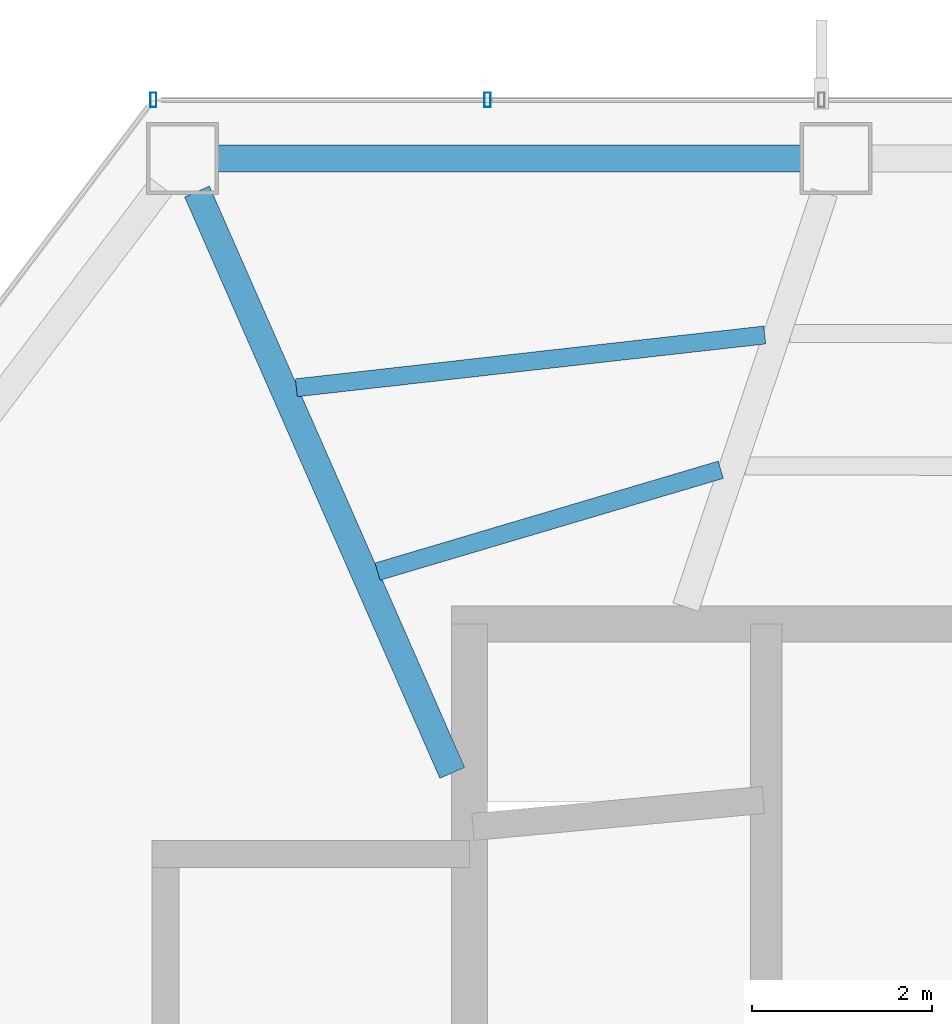
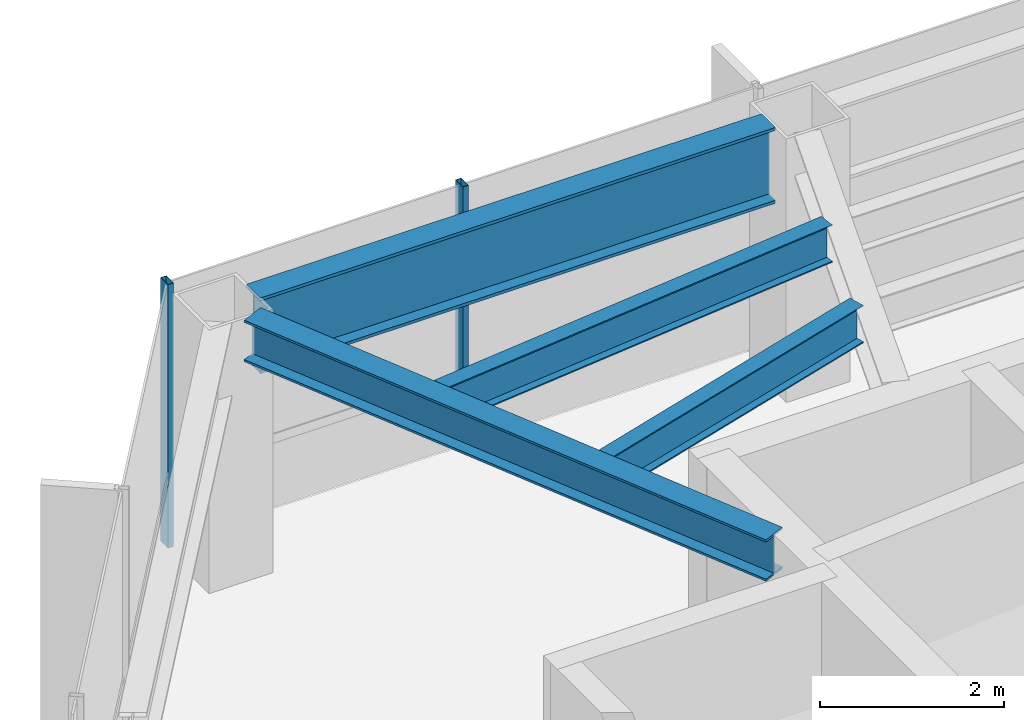
# One storey, part 11 of 28: 4 beams, 2 members, 1 element without a shape of its own.
"""IFC4 building model written with IfcOpenShell, lengths in metres."""

from ifc_helpers import new_model, si_unit, direction, frame, origin, origin_2d, place, context, subcontext, project, spatial, hollow_rectangle, i_section, extrude, material, layer, layer_set, material_profile, profile_set, type_object, element, aggregate, save


model = new_model("IFC4")

# Units and contexts
model_context = context("Model", 3, precision=1e-05, world=origin(), true_north=direction((0.0, 1.0)))
body_context = subcontext(model_context, "Body", "Model", "MODEL_VIEW")
ifc_project = project(units=[si_unit("LENGTHUNIT", "METRE"), si_unit("AREAUNIT", "SQUARE_METRE"), si_unit("VOLUMEUNIT", "CUBIC_METRE"), si_unit("PLANEANGLEUNIT", "RADIAN"), si_unit("MASSUNIT", "GRAM", prefix="KILO")], contexts=[model_context])

# Site, building, storey
site_placement = place(None, origin())
site = spatial("IfcSite", under=ifc_project, at=site_placement, CompositionType="ELEMENT")
building_placement = place(site_placement, origin())
building = spatial("IfcBuilding", under=site, at=building_placement, Name="Zarrinselat Tower", CompositionType="ELEMENT")
storey_placement = place(building_placement, frame((0.0, 0.0, 127.159912109375)))
storey = spatial("IfcBuildingStorey", under=building, at=storey_placement, Name="L30", CompositionType="ELEMENT", Elevation=127.159912109375)

# Beams
ifc_material_1 = material(Name="Steel S355J2", Category="steel")
ifc_material_profile_1 = material_profile(ifc_material_1, i_section(OverallWidth=0.300048828125, OverallDepth=0.550048828125, WebThickness=0.014892578125, FlangeThickness=0.029052734375, at=origin_2d()), Name="HEB 550")
ifc_profile_set_1 = profile_set([ifc_material_profile_1], Name="Steel S355J2")
beam_type_1 = type_object("IfcBeamType", Name="BM-HEB550", PredefinedType="BEAM", material=ifc_profile_set_1)
beam_1_placement = place(storey_placement, frame((25.578125, 48.24853515625, 3.22509765625), z_axis=(0.40207866755, -0.915605125096, 0.0), x_axis=(0.915605125096, 0.40207866755, 0.0)))
element("IfcBeam", 1, at=beam_1_placement, inside=storey, type_object=beam_type_1, Name="L30 Radial Primary Girder RG05", PredefinedType="BEAM", context=body_context, shape_type="SweptSolid", body=[
    extrude(i_section(OverallWidth=0.300048828125, OverallDepth=0.550048828125, WebThickness=0.014892578125, FlangeThickness=0.029052734375, at=origin_2d()), origin(), (0.0, 0.0, 1.0), 7.04296875),
])
ifc_material_2 = material(Name="Steel S460M", Category="steel")
ifc_material_profile_2 = material_profile(ifc_material_2, i_section(OverallWidth=0.302001953125, OverallDepth=1.008056640625, WebThickness=0.02099609375, FlangeThickness=0.0400390625, at=origin_2d()), Name="HEM 1000")
ifc_profile_set_2 = profile_set([ifc_material_profile_2], Name="Steel S460M")
beam_type_2 = type_object("IfcBeamType", Name="BM-HEM1000", PredefinedType="BEAM", material=ifc_profile_set_2)
beam_2_placement = place(storey_placement, frame((25.8046875, 48.61669921875, 2.99609375), z_axis=(1.0, 0.0, 0.0), x_axis=(0.0, 1.0, 0.0)))
element("IfcBeam", 2, at=beam_2_placement, inside=storey, type_object=beam_type_2, Name="L30 Perimeter Spandrel Girder SP04", PredefinedType="BEAM", context=body_context, shape_type="SweptSolid", body=[
    extrude(i_section(OverallWidth=0.302001953125, OverallDepth=1.008056640625, WebThickness=0.02099609375, FlangeThickness=0.0400390625, at=origin_2d()), origin(), (0.0, 0.0, 1.0), 6.473388671875),
])
ifc_material_3 = material(Name="Steel S355J2", Category="steel")
ifc_material_profile_3 = material_profile(ifc_material_3, i_section(OverallWidth=0.199951171875, OverallDepth=0.5, WebThickness=0.01025390625, FlangeThickness=0.01611328125, at=origin_2d()), Name="IPE 500")
ifc_profile_set_3 = profile_set([ifc_material_profile_3], Name="Steel S355J2")
beam_type_3 = type_object("IfcBeamType", Name="BM-IPE500", PredefinedType="JOIST", material=ifc_profile_set_3)
beam_3_placement = place(storey_placement, frame((26.68017578125, 46.07177734375, 3.25), z_axis=(0.993707108531, 0.112009742676, 0.0), x_axis=(-0.112009742676, 0.993707108531, 0.0)))
element("IfcBeam", 3, at=beam_3_placement, inside=storey, type_object=beam_type_3, Name="L30 Composite Floor Joist 9-1", PredefinedType="JOIST", context=body_context, shape_type="SweptSolid", body=[
    extrude(i_section(OverallWidth=0.199951171875, OverallDepth=0.5, WebThickness=0.01025390625, FlangeThickness=0.01611328125, at=origin_2d()), origin(), (0.0, 0.0, 1.0), 5.22900390625),
])
beam_4_placement = place(storey_placement, frame((27.581298828125, 44.032470703125, 3.25), z_axis=(0.958664682991, 0.284538267348, 0.0), x_axis=(-0.284538267348, 0.958664682991, 0.0)))
element("IfcBeam", 4, at=beam_4_placement, inside=storey, type_object=beam_type_3, Name="L30 Composite Floor Joist 9-2", PredefinedType="JOIST", context=body_context, shape_type="SweptSolid", body=[
    extrude(i_section(OverallWidth=0.199951171875, OverallDepth=0.5, WebThickness=0.01025390625, FlangeThickness=0.01611328125, at=origin_2d()), origin(), (0.0, 0.0, 1.0), 3.9716796875),
])

# Curtain wall, members
ifc_material_4 = material(Name="Extruded Aluminium Alloy EN AW-6063 T6", Category="aluminium")
ifc_layer = layer(ifc_material_4, 0.175048828125)
ifc_layer_set = layer_set([ifc_layer], Name="Extruded Aluminium Alloy EN AW-6063 T6")
curtain_wall_type = type_object("IfcCurtainWallType", Name="CWS-HTL", PredefinedType="NOTDEFINED", material=ifc_layer_set)
curtain_wall_placement = place(storey_placement, origin())
curtain_wall = element("IfcCurtainWall", 5, at=curtain_wall_placement, inside=storey, type_object=curtain_wall_type, Name="L30 Unitised Curtain Wall CW-L30-E01", PredefinedType="NOTDEFINED")
ifc_material_5 = material(Name="Extruded Aluminium Alloy EN AW-6063 T6", Category="aluminium")
ifc_material_profile_4 = material_profile(ifc_material_5, hollow_rectangle(XDim=0.070068359375, YDim=0.159912109375, WallThickness=0.00390625, at=origin_2d()), Name="RHS 160x70x4")
ifc_profile_set_4 = profile_set([ifc_material_profile_4], Name="Extruded Aluminium Alloy EN AW-6063 T6")
member_type = type_object("IfcMemberType", Name="MEM-CW-MUL2", PredefinedType="MULLION", material=ifc_profile_set_4)
member_1_placement = place(storey_placement, frame((28.799072265625, 49.2666015625, 0.0), z_axis=(0.0, 0.0, 1.0), x_axis=(-1.0, 0.0, 0.0)))
member_1 = element("IfcMember", 6, at=member_1_placement, type_object=member_type, Name="CW-L30-E01 Mullion 8", PredefinedType="MULLION", context=body_context, shape_type="SweptSolid", body=[
    extrude(hollow_rectangle(XDim=0.070068359375, YDim=0.159912109375, WallThickness=0.00390625, at=origin_2d()), origin(), (0.0, 0.0, 1.0), 3.5),
])
member_2_placement = place(storey_placement, frame((25.093505859375, 49.2666015625, 0.0), z_axis=(0.0, 0.0, 1.0), x_axis=(-1.0, 0.0, 0.0)))
member_2 = element("IfcMember", 7, at=member_2_placement, type_object=member_type, Name="CW-L30-E01 Mullion 9", PredefinedType="MULLION", context=body_context, shape_type="SweptSolid", body=[
    extrude(hollow_rectangle(XDim=0.070068359375, YDim=0.159912109375, WallThickness=0.00390625, at=origin_2d()), origin(), (0.0, 0.0, 1.0), 3.5),
])
aggregate(curtain_wall, [member_1, member_2])

save(model, "model.ifc")
